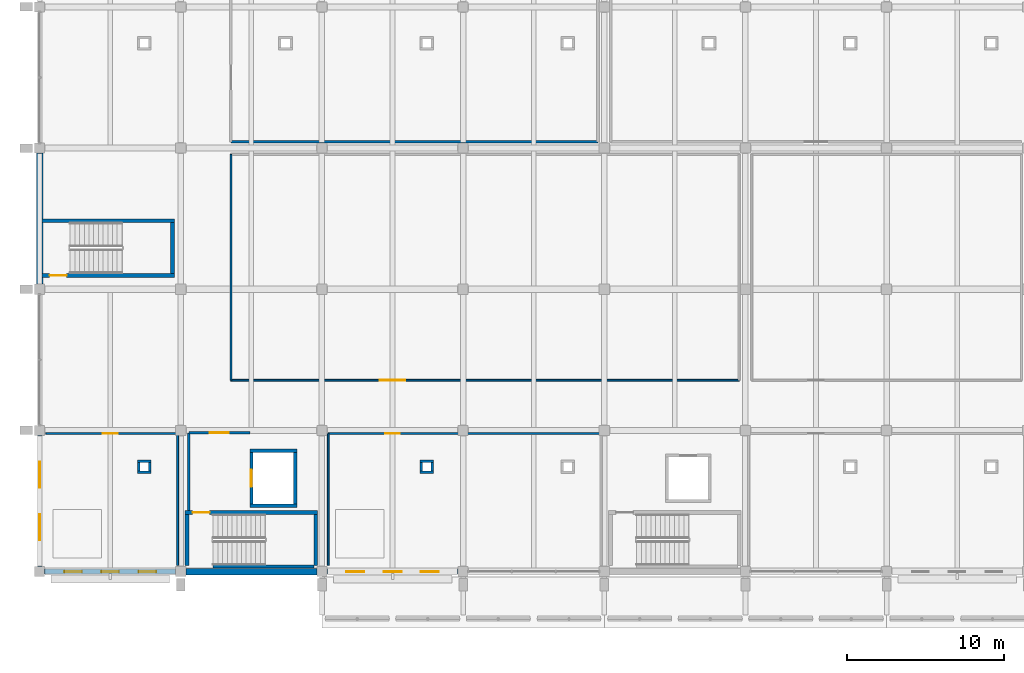
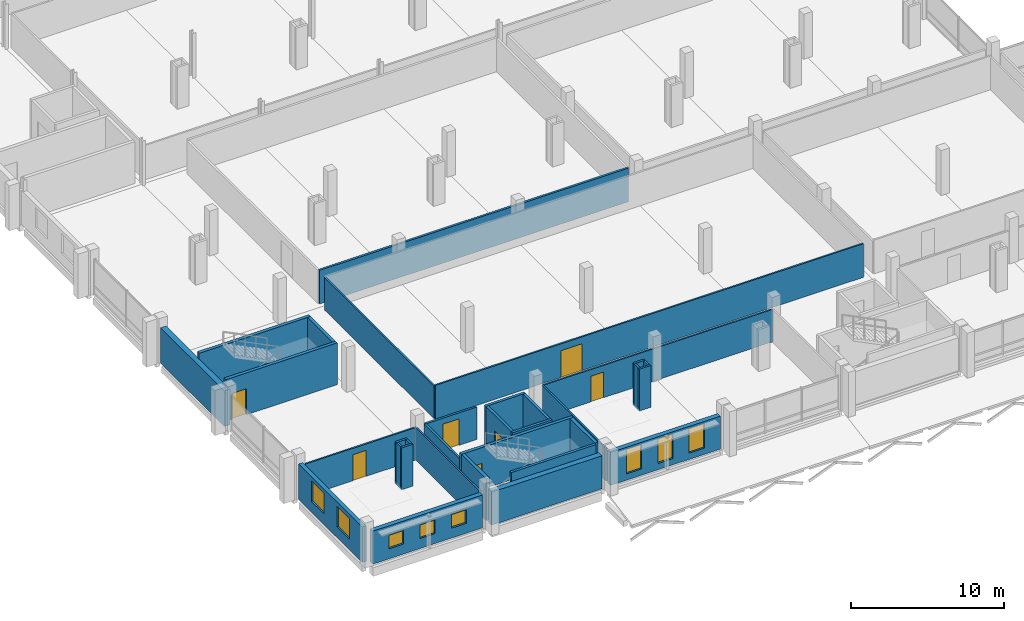
# One storey, part 101 of 132: 33 walls, 8 windows, 7 doors, 15 openings.
"""IFC4 building model written with IfcOpenShell, lengths in metres."""

from ifc_helpers import new_model, si_unit, direction, frame, frame_2d, origin, place, context, subcontext, project, spatial, rectangle, extrude, material, layer, layer_set, type_object, element, fill, save


model = new_model("IFC4")

# Units and contexts
model_context = context("Model", 3, precision=1e-05, world=origin(), true_north=direction((0.0, 1.0)))
body_context = subcontext(model_context, "Body", "Model", "MODEL_VIEW")
ifc_project = project(units=[si_unit("LENGTHUNIT", "METRE"), si_unit("AREAUNIT", "SQUARE_METRE"), si_unit("VOLUMEUNIT", "CUBIC_METRE"), si_unit("PLANEANGLEUNIT", "RADIAN"), si_unit("MASSUNIT", "GRAM", prefix="KILO")], contexts=[model_context])

# Site, building, storey
site_placement = place(None, origin())
site = spatial("IfcSite", under=ifc_project, at=site_placement, CompositionType="ELEMENT")
building_placement = place(site_placement, origin())
building = spatial("IfcBuilding", under=site, at=building_placement, Name="Tharagai Park Tramway Depot", CompositionType="ELEMENT")
storey_placement = place(building_placement, frame((0.0, 0.0, 4.800048828125)))
storey = spatial("IfcBuildingStorey", under=building, at=storey_placement, Name="L01", CompositionType="ELEMENT", Elevation=4.800048828125)

# Wall, openings, windows
ifc_material_1 = material(Name="Pressed clay brick", Category="masonry")
ifc_layer_1 = layer(ifc_material_1, 0.340087890625)
ifc_layer_set_1 = layer_set([ifc_layer_1], Name="Pressed clay brick")
wall_type_1 = type_object("IfcWallType", Name="EW-04", PredefinedType="SOLIDWALL", material=ifc_layer_set_1)
wall_1_placement = place(storey_placement, frame((0.322998046875, 0.0, 0.0), z_axis=(0.0, 0.0, 1.0), x_axis=(1.0, 0.0, 0.0)))
wall_1 = element("IfcWall", 1, at=wall_1_placement, inside=storey, type_object=wall_type_1, Name="L01 V4 Exterior Masonry Wall EW-04", PredefinedType="SOLIDWALL", context=body_context, shape_type="SweptSolid", body=[
    extrude(rectangle(XDim=8.35400390625, YDim=0.340087890625, at=frame_2d((4.177001953125, 0.0))), origin(), (0.0, 0.0, 1.0), 2.641845703125),
])
opening_1_placement = place(wall_1_placement, frame((1.248046875, 0.0, 0.800048828125)))
opening_1 = element("IfcOpeningElement", 2, at=opening_1_placement, cuts=wall_1, Name="Opening WN-24", PredefinedType="OPENING", context=body_context, shape_type="SweptSolid", body=[
    extrude(rectangle(XDim=1.1201171875, YDim=1.080078125, at=frame_2d((0.56005859375, 0.5400390625))), frame((0.0, 0.179931640625, 0.0), z_axis=(0.0, -1.0, 0.0), x_axis=(1.0, 0.0, 0.0)), (0.0, 0.0, 1.0), 0.360107421875),
])
opening_2_placement = place(wall_1_placement, frame((3.616943359375, 0.0, 0.800048828125)))
opening_2 = element("IfcOpeningElement", 3, at=opening_2_placement, cuts=wall_1, Name="Opening WN-24", PredefinedType="OPENING", context=body_context, shape_type="SweptSolid", body=[
    extrude(rectangle(XDim=1.1201171875, YDim=1.080078125, at=frame_2d((0.56005859375, 0.5400390625))), frame((0.0, 0.179931640625, 0.0), z_axis=(0.0, -1.0, 0.0), x_axis=(1.0, 0.0, 0.0)), (0.0, 0.0, 1.0), 0.360107421875),
])
opening_3_placement = place(wall_1_placement, frame((5.986083984375, 0.0, 0.800048828125)))
opening_3 = element("IfcOpeningElement", 4, at=opening_3_placement, cuts=wall_1, Name="Opening WN-24", PredefinedType="OPENING", context=body_context, shape_type="SweptSolid", body=[
    extrude(rectangle(XDim=1.1201171875, YDim=1.080078125, at=frame_2d((0.56005859375, 0.5400390625))), frame((0.0, 0.179931640625, 0.0), z_axis=(0.0, -1.0, 0.0), x_axis=(1.0, 0.0, 0.0)), (0.0, 0.0, 1.0), 0.360107421875),
])
ifc_material_2 = material(Name="Laminated solar-control glass", Category="glass")
window_type_1 = type_object("IfcWindowType", Name="WN-24", PartitioningType="SINGLE_PANEL", PredefinedType="WINDOW", material=ifc_material_2)
window_1_placement = place(opening_1_placement, origin())
window_1 = element("IfcWindow", 5, at=window_1_placement, inside=storey, type_object=window_type_1, Name="L01 V4 Gothic Lancet Window WN-24", OverallHeight=1.080078125, OverallWidth=1.1201171875, PartitioningType="SINGLE_PANEL", PredefinedType="WINDOW", context=body_context, shape_type="SweptSolid", body=[
    extrude(rectangle(XDim=1.1201171875, YDim=1.080078125, at=frame_2d((0.56005859375, 0.5400390625))), frame((0.0, 0.030029296875, 0.0), z_axis=(0.0, -1.0, 0.0), x_axis=(1.0, 0.0, 0.0)), (0.0, 0.0, 1.0), 0.06005859375),
])
fill(opening_1, window_1)
window_2_placement = place(opening_2_placement, origin())
window_2 = element("IfcWindow", 6, at=window_2_placement, inside=storey, type_object=window_type_1, Name="L01 V4 Gothic Lancet Window WN-24", OverallHeight=1.080078125, OverallWidth=1.1201171875, PartitioningType="SINGLE_PANEL", PredefinedType="WINDOW", context=body_context, shape_type="SweptSolid", body=[
    extrude(rectangle(XDim=1.1201171875, YDim=1.080078125, at=frame_2d((0.56005859375, 0.5400390625))), frame((0.0, 0.030029296875, 0.0), z_axis=(0.0, -1.0, 0.0), x_axis=(1.0, 0.0, 0.0)), (0.0, 0.0, 1.0), 0.06005859375),
])
fill(opening_2, window_2)
window_3_placement = place(opening_3_placement, origin())
window_3 = element("IfcWindow", 7, at=window_3_placement, inside=storey, type_object=window_type_1, Name="L01 V4 Gothic Lancet Window WN-24", OverallHeight=1.080078125, OverallWidth=1.1201171875, PartitioningType="SINGLE_PANEL", PredefinedType="WINDOW", context=body_context, shape_type="SweptSolid", body=[
    extrude(rectangle(XDim=1.1201171875, YDim=1.080078125, at=frame_2d((0.56005859375, 0.5400390625))), frame((0.0, 0.030029296875, 0.0), z_axis=(0.0, -1.0, 0.0), x_axis=(1.0, 0.0, 0.0)), (0.0, 0.0, 1.0), 0.06005859375),
])
fill(opening_3, window_3)

wall_2_placement = place(storey_placement, frame((18.322998046875, 0.0, 0.0), z_axis=(0.0, 0.0, 1.0), x_axis=(1.0, 0.0, 0.0)))
wall_2 = element("IfcWall", 8, at=wall_2_placement, inside=storey, type_object=wall_type_1, Name="L01 V4 Exterior Masonry Wall EW-04", PredefinedType="SOLIDWALL", context=body_context, shape_type="SweptSolid", body=[
    extrude(rectangle(XDim=8.35400390625, YDim=0.340087890625, at=frame_2d((4.177001953125, 0.0))), origin(), (0.0, 0.0, 1.0), 2.641845703125),
])
opening_4_placement = place(wall_2_placement, frame((1.22607421875, 0.0, 0.5)))
opening_4 = element("IfcOpeningElement", 9, at=opening_4_placement, cuts=wall_2, Name="Opening WN-28", PredefinedType="OPENING", context=body_context, shape_type="SweptSolid", body=[
    extrude(rectangle(XDim=1.14990234375, YDim=1.9599609375, at=frame_2d((0.574951171875, 0.97998046875))), frame((0.0, 0.179931640625, 0.0), z_axis=(0.0, -1.0, 0.0), x_axis=(1.0, 0.0, 0.0)), (0.0, 0.0, 1.0), 0.360107421875),
])
opening_5_placement = place(wall_2_placement, frame((3.60205078125, 0.0, 0.5)))
opening_5 = element("IfcOpeningElement", 10, at=opening_5_placement, cuts=wall_2, Name="Opening WN-28", PredefinedType="OPENING", context=body_context, shape_type="SweptSolid", body=[
    extrude(rectangle(XDim=1.14990234375, YDim=1.9599609375, at=frame_2d((0.574951171875, 0.97998046875))), frame((0.0, 0.179931640625, 0.0), z_axis=(0.0, -1.0, 0.0), x_axis=(1.0, 0.0, 0.0)), (0.0, 0.0, 1.0), 0.360107421875),
])
opening_6_placement = place(wall_2_placement, frame((5.97802734375, 0.0, 0.5)))
opening_6 = element("IfcOpeningElement", 11, at=opening_6_placement, cuts=wall_2, Name="Opening WN-28", PredefinedType="OPENING", context=body_context, shape_type="SweptSolid", body=[
    extrude(rectangle(XDim=1.14990234375, YDim=1.9599609375, at=frame_2d((0.574951171875, 0.97998046875))), frame((0.0, 0.179931640625, 0.0), z_axis=(0.0, -1.0, 0.0), x_axis=(1.0, 0.0, 0.0)), (0.0, 0.0, 1.0), 0.360107421875),
])
window_type_2 = type_object("IfcWindowType", Name="WN-28", PartitioningType="SINGLE_PANEL", PredefinedType="WINDOW", material=ifc_material_2)
window_4_placement = place(opening_4_placement, origin())
window_4 = element("IfcWindow", 12, at=window_4_placement, inside=storey, type_object=window_type_2, Name="L01 V4 Gothic Lancet Window WN-28", OverallHeight=1.9599609375, OverallWidth=1.14990234375, PartitioningType="SINGLE_PANEL", PredefinedType="WINDOW", context=body_context, shape_type="SweptSolid", body=[
    extrude(rectangle(XDim=1.14990234375, YDim=1.9599609375, at=frame_2d((0.574951171875, 0.97998046875))), frame((0.0, 0.030029296875, 0.0), z_axis=(0.0, -1.0, 0.0), x_axis=(1.0, 0.0, 0.0)), (0.0, 0.0, 1.0), 0.06005859375),
])
fill(opening_4, window_4)
window_5_placement = place(opening_5_placement, origin())
window_5 = element("IfcWindow", 13, at=window_5_placement, inside=storey, type_object=window_type_2, Name="L01 V4 Gothic Lancet Window WN-28", OverallHeight=1.9599609375, OverallWidth=1.14990234375, PartitioningType="SINGLE_PANEL", PredefinedType="WINDOW", context=body_context, shape_type="SweptSolid", body=[
    extrude(rectangle(XDim=1.14990234375, YDim=1.9599609375, at=frame_2d((0.574951171875, 0.97998046875))), frame((0.0, 0.030029296875, 0.0), z_axis=(0.0, -1.0, 0.0), x_axis=(1.0, 0.0, 0.0)), (0.0, 0.0, 1.0), 0.06005859375),
])
fill(opening_5, window_5)
window_6_placement = place(opening_6_placement, origin())
window_6 = element("IfcWindow", 14, at=window_6_placement, inside=storey, type_object=window_type_2, Name="L01 V4 Gothic Lancet Window WN-28", OverallHeight=1.9599609375, OverallWidth=1.14990234375, PartitioningType="SINGLE_PANEL", PredefinedType="WINDOW", context=body_context, shape_type="SweptSolid", body=[
    extrude(rectangle(XDim=1.14990234375, YDim=1.9599609375, at=frame_2d((0.574951171875, 0.97998046875))), frame((0.0, 0.030029296875, 0.0), z_axis=(0.0, -1.0, 0.0), x_axis=(1.0, 0.0, 0.0)), (0.0, 0.0, 1.0), 0.06005859375),
])
fill(opening_6, window_6)

# Walls
ifc_material_3 = material(Name="Charnockite stone", Category="masonry")
ifc_layer_2 = layer(ifc_material_3, 0.419921875)
ifc_layer_set_2 = layer_set([ifc_layer_2], Name="Charnockite stone")
wall_type_2 = type_object("IfcWallType", Name="EW-07", PredefinedType="SOLIDWALL", material=ifc_layer_set_2)
wall_3_placement = place(storey_placement, frame((9.322998046875, 0.0, 0.0), z_axis=(0.0, 0.0, 1.0), x_axis=(1.0, 0.0, 0.0)))
element("IfcWall", 15, at=wall_3_placement, inside=storey, type_object=wall_type_2, Name="L01 V4 Exterior Masonry Wall EW-07", PredefinedType="SOLIDWALL", context=body_context, shape_type="SweptSolid", body=[
    extrude(rectangle(XDim=8.35400390625, YDim=0.419921875, at=frame_2d((4.177001953125, 0.0))), origin(), (0.0, 0.0, 1.0), 2.641845703125),
])
wall_4_placement = place(storey_placement, frame((0.0, 18.322998046875, 0.0), z_axis=(0.0, 0.0, 1.0), x_axis=(0.0, 1.0, 0.0)))
element("IfcWall", 16, at=wall_4_placement, inside=storey, type_object=wall_type_2, Name="L01 V4 Exterior Masonry Wall EW-07", PredefinedType="SOLIDWALL", context=body_context, shape_type="SweptSolid", body=[
    extrude(rectangle(XDim=8.35400390625, YDim=0.419921875, at=frame_2d((4.177001953125, 0.0))), origin(), (0.0, 0.0, 1.0), 2.842041015625),
])

# Wall, openings, windows
ifc_layer_3 = layer(ifc_material_1, 0.300048828125)
ifc_layer_set_3 = layer_set([ifc_layer_3], Name="Pressed clay brick")
wall_type_3 = type_object("IfcWallType", Name="EW-08", PredefinedType="SOLIDWALL", material=ifc_layer_set_3)
wall_5_placement = place(storey_placement, frame((0.0, 0.322998046875, 0.0), z_axis=(0.0, 0.0, 1.0), x_axis=(0.0, 1.0, 0.0)))
wall_5 = element("IfcWall", 17, at=wall_5_placement, inside=storey, type_object=wall_type_3, Name="L01 V4 Exterior Masonry Wall EW-08", PredefinedType="SOLIDWALL", context=body_context, shape_type="SweptSolid", body=[
    extrude(rectangle(XDim=8.35400390625, YDim=0.300048828125, at=frame_2d((4.177001953125, 0.0))), origin(), (0.0, 0.0, 1.0), 2.842041015625),
])
opening_7_placement = place(wall_5_placement, frame((1.6650390625, 0.0, 0.85009765625)))
opening_7 = element("IfcOpeningElement", 18, at=opening_7_placement, cuts=wall_5, Name="Opening WN-38", PredefinedType="OPENING", context=body_context, shape_type="SweptSolid", body=[
    extrude(rectangle(XDim=1.679931640625, YDim=1.659912109375, at=frame_2d((0.83984375, 0.830078125))), frame((0.0, 0.159912109375, 0.0), z_axis=(0.0, -1.0, 0.0), x_axis=(1.0, 0.0, 0.0)), (0.0, 0.0, 1.0), 0.320068359375),
])
opening_8_placement = place(wall_5_placement, frame((5.009033203125, 0.0, 0.85009765625)))
opening_8 = element("IfcOpeningElement", 19, at=opening_8_placement, cuts=wall_5, Name="Opening WN-38", PredefinedType="OPENING", context=body_context, shape_type="SweptSolid", body=[
    extrude(rectangle(XDim=1.679931640625, YDim=1.659912109375, at=frame_2d((0.83984375, 0.830078125))), frame((0.0, 0.159912109375, 0.0), z_axis=(0.0, -1.0, 0.0), x_axis=(1.0, 0.0, 0.0)), (0.0, 0.0, 1.0), 0.320068359375),
])
window_type_3 = type_object("IfcWindowType", Name="WN-38", PartitioningType="SINGLE_PANEL", PredefinedType="WINDOW", material=ifc_material_2)
window_7_placement = place(opening_7_placement, origin())
window_7 = element("IfcWindow", 20, at=window_7_placement, inside=storey, type_object=window_type_3, Name="L01 V4 Side Lancet Window WN-38", OverallHeight=1.659912109375, OverallWidth=1.679931640625, PartitioningType="SINGLE_PANEL", PredefinedType="WINDOW", context=body_context, shape_type="SweptSolid", body=[
    extrude(rectangle(XDim=1.679931640625, YDim=1.659912109375, at=frame_2d((0.83984375, 0.830078125))), frame((0.0, 0.030029296875, 0.0), z_axis=(0.0, -1.0, 0.0), x_axis=(1.0, 0.0, 0.0)), (0.0, 0.0, 1.0), 0.06005859375),
])
fill(opening_7, window_7)
window_8_placement = place(opening_8_placement, origin())
window_8 = element("IfcWindow", 21, at=window_8_placement, inside=storey, type_object=window_type_3, Name="L01 V4 Side Lancet Window WN-38", OverallHeight=1.659912109375, OverallWidth=1.679931640625, PartitioningType="SINGLE_PANEL", PredefinedType="WINDOW", context=body_context, shape_type="SweptSolid", body=[
    extrude(rectangle(XDim=1.679931640625, YDim=1.659912109375, at=frame_2d((0.83984375, 0.830078125))), frame((0.0, 0.030029296875, 0.0), z_axis=(0.0, -1.0, 0.0), x_axis=(1.0, 0.0, 0.0)), (0.0, 0.0, 1.0), 0.06005859375),
])
fill(opening_8, window_8)

# Walls
ifc_layer_4 = layer(ifc_material_1, 0.159912109375)
ifc_layer_set_4 = layer_set([ifc_layer_4], Name="Pressed clay brick")
wall_type_4 = type_object("IfcWallType", Name="IW-02", PredefinedType="PARTITIONING", material=ifc_layer_set_4)
for number, where, z_axis, x_axis, name in (
    (22, (6.239990234375, 6.320068359375, 0.0), (0.0, 0.0, 1.0), (1.0, 0.0, 0.0), "L01 Pipe Riser Enclosure Wall 15 S"),
    (23, (6.239990234375, 7.030029296875, 0.0), (0.0, 0.0, 1.0), (1.0, 0.0, 0.0), "L01 Pipe Riser Enclosure Wall 15 N"),
):
    element("IfcWall", number, at=place(storey_placement, frame(where, z_axis=z_axis, x_axis=x_axis)), inside=storey, type_object=wall_type_4, Name=name, PredefinedType="PARTITIONING", context=body_context, shape_type="SweptSolid", body=[
        extrude(rectangle(XDim=0.8701171875, YDim=0.159912109375, at=frame_2d((0.43505859375, 0.0))), origin(), (0.0, 0.0, 1.0), 3.349853515625),
    ])
for number, where, z_axis, x_axis, name in (
    (24, (6.320068359375, 6.39990234375, 0.0), (0.0, 0.0, 1.0), (0.0, 1.0, 0.0), "L01 Pipe Riser Enclosure Wall 15 W"),
    (25, (7.030029296875, 6.39990234375, 0.0), (0.0, 0.0, 1.0), (0.0, 1.0, 0.0), "L01 Pipe Riser Enclosure Wall 15 E"),
):
    element("IfcWall", number, at=place(storey_placement, frame(where, z_axis=z_axis, x_axis=x_axis)), inside=storey, type_object=wall_type_4, Name=name, PredefinedType="PARTITIONING", context=body_context, shape_type="SweptSolid", body=[
        extrude(rectangle(XDim=0.550048828125, YDim=0.159912109375, at=frame_2d((0.27490234375, 0.0))), origin(), (0.0, 0.0, 1.0), 3.349853515625),
    ])
for number, where, z_axis, x_axis, name in (
    (26, (24.239990234375, 6.320068359375, 0.0), (0.0, 0.0, 1.0), (1.0, 0.0, 0.0), "L01 Pipe Riser Enclosure Wall 16 S"),
    (27, (24.239990234375, 7.030029296875, 0.0), (0.0, 0.0, 1.0), (1.0, 0.0, 0.0), "L01 Pipe Riser Enclosure Wall 16 N"),
):
    element("IfcWall", number, at=place(storey_placement, frame(where, z_axis=z_axis, x_axis=x_axis)), inside=storey, type_object=wall_type_4, Name=name, PredefinedType="PARTITIONING", context=body_context, shape_type="SweptSolid", body=[
        extrude(rectangle(XDim=0.8701171875, YDim=0.159912109375, at=frame_2d((0.43505859375, 0.0))), origin(), (0.0, 0.0, 1.0), 3.349853515625),
    ])
for number, where, z_axis, x_axis, name in (
    (28, (24.320068359375, 6.39990234375, 0.0), (0.0, 0.0, 1.0), (0.0, 1.0, 0.0), "L01 Pipe Riser Enclosure Wall 16 W"),
    (29, (25.030029296875, 6.39990234375, 0.0), (0.0, 0.0, 1.0), (0.0, 1.0, 0.0), "L01 Pipe Riser Enclosure Wall 16 E"),
):
    element("IfcWall", number, at=place(storey_placement, frame(where, z_axis=z_axis, x_axis=x_axis)), inside=storey, type_object=wall_type_4, Name=name, PredefinedType="PARTITIONING", context=body_context, shape_type="SweptSolid", body=[
        extrude(rectangle(XDim=0.550048828125, YDim=0.159912109375, at=frame_2d((0.27490234375, 0.0))), origin(), (0.0, 0.0, 1.0), 3.349853515625),
    ])

# Wall, opening, door
wall_6_placement = place(storey_placement, frame((9.52001953125, 8.85009765625, 0.0), z_axis=(0.0, 0.0, 1.0), x_axis=(1.0, 0.0, 0.0)))
wall_6 = element("IfcWall", 30, at=wall_6_placement, inside=storey, type_object=wall_type_4, Name="Firefighting Lobby L01 Partition North", PredefinedType="PARTITIONING", context=body_context, shape_type="SweptSolid", body=[
    extrude(rectangle(XDim=3.8798828125, YDim=0.159912109375, at=frame_2d((1.93994140625, 0.0))), origin(), (0.0, 0.0, 1.0), 2.594970703125),
])
opening_9_placement = place(wall_6_placement, frame((1.320068359375, 0.0, 0.0)))
opening_9 = element("IfcOpeningElement", 31, at=opening_9_placement, cuts=wall_6, Name="Opening ID-10", PredefinedType="OPENING", context=body_context, shape_type="SweptSolid", body=[
    extrude(rectangle(XDim=1.219970703125, YDim=2.1201171875, at=frame_2d((0.60986328125, 1.06005859375))), frame((0.0, 0.08984375, 0.0), z_axis=(0.0, -1.0, 0.0), x_axis=(1.0, 0.0, 0.0)), (0.0, 0.0, 1.0), 0.179931640625),
])
ifc_material_4 = material(Name="Galvanised steel", Category="steel")
door_type_1 = type_object("IfcDoorType", Name="ID-10", OperationType="NOTDEFINED", PredefinedType="DOOR", material=ifc_material_4)
door_1_placement = place(opening_9_placement, origin())
door_1 = element("IfcDoor", 32, at=door_1_placement, inside=storey, type_object=door_type_1, Name="Firefighting Lobby L01 Door", OperationType="SINGLE_SWING_RIGHT", OverallHeight=2.1201171875, OverallWidth=1.219970703125, PredefinedType="DOOR", context=body_context, shape_type="SweptSolid", body=[
    extrude(rectangle(XDim=1.219970703125, YDim=2.1201171875, at=frame_2d((0.60986328125, 1.06005859375))), frame((0.0, 0.02490234375, 0.0), z_axis=(0.0, -1.0, 0.0), x_axis=(1.0, 0.0, 0.0)), (0.0, 0.0, 1.0), 0.050048828125),
])
fill(opening_9, door_1)

# Walls
wall_7_placement = place(storey_placement, frame((9.52001953125, 3.889892578125, 0.0), z_axis=(0.0, 0.0, 1.0), x_axis=(0.0, 1.0, 0.0)))
element("IfcWall", 33, at=wall_7_placement, inside=storey, type_object=wall_type_4, Name="Firefighting Lobby L01 Partition West", PredefinedType="PARTITIONING", context=body_context, shape_type="SweptSolid", body=[
    extrude(rectangle(XDim=4.960205078125, YDim=0.159912109375, at=frame_2d((2.47998046875, 0.0))), origin(), (0.0, 0.0, 1.0), 2.594970703125),
])
wall_8_placement = place(storey_placement, frame((12.199951171875, 27.39990234375, 0.0), z_axis=(0.0, 0.0, 1.0), x_axis=(1.0, 0.0, 0.0)))
element("IfcWall", 34, at=wall_8_placement, inside=storey, type_object=wall_type_4, Name="Communications Server and UPS Plant Room Partition South", PredefinedType="PARTITIONING", context=body_context, shape_type="SweptSolid", body=[
    extrude(rectangle(XDim=23.400146484375, YDim=0.159912109375, at=frame_2d((11.7001953125, 0.0))), origin(), (0.0, 0.0, 1.0), 2.695068359375),
])

# Wall, opening, door
ifc_material_5 = material(Name="Gypsum board", Category="gypsum")
ifc_layer_5 = layer(ifc_material_5, 0.1201171875)
ifc_layer_set_5 = layer_set([ifc_layer_5], Name="Gypsum board")
wall_type_5 = type_object("IfcWallType", Name="IW-03", PredefinedType="PARTITIONING", material=ifc_layer_set_5)
wall_9_placement = place(storey_placement, frame((0.39990234375, 8.800048828125, 0.0), z_axis=(0.0, 0.0, 1.0), x_axis=(1.0, 0.0, 0.0)))
wall_9 = element("IfcWall", 35, at=wall_9_placement, inside=storey, type_object=wall_type_5, Name="Fleet Maintenance Planning Office Partition North", PredefinedType="PARTITIONING", context=body_context, shape_type="SweptSolid", body=[
    extrude(rectangle(XDim=8.400146484375, YDim=0.1201171875, at=frame_2d((4.2001953125, 0.0))), origin(), (0.0, 0.0, 1.0), 2.594970703125),
])
opening_10_placement = place(wall_9_placement, frame((3.610107421875, 0.0, 0.0)))
opening_10 = element("IfcOpeningElement", 36, at=opening_10_placement, cuts=wall_9, Name="Opening ID-02", PredefinedType="OPENING", context=body_context, shape_type="SweptSolid", body=[
    extrude(rectangle(XDim=0.97998046875, YDim=2.080078125, at=frame_2d((0.489990234375, 1.0400390625))), frame((0.0, 0.070068359375, 0.0), z_axis=(0.0, -1.0, 0.0), x_axis=(1.0, 0.0, 0.0)), (0.0, 0.0, 1.0), 0.14013671875),
])
ifc_material_6 = material(Name="Pressed timber", Category="wood")
door_type_2 = type_object("IfcDoorType", Name="ID-02", OperationType="NOTDEFINED", PredefinedType="DOOR", material=ifc_material_6)
door_2_placement = place(opening_10_placement, origin())
door_2 = element("IfcDoor", 37, at=door_2_placement, inside=storey, type_object=door_type_2, Name="Fleet Maintenance Planning Office Door", OperationType="SINGLE_SWING_RIGHT", OverallHeight=2.080078125, OverallWidth=0.97998046875, PredefinedType="DOOR", context=body_context, shape_type="SweptSolid", body=[
    extrude(rectangle(XDim=0.97998046875, YDim=2.080078125, at=frame_2d((0.489990234375, 1.0400390625))), frame((0.0, 0.02490234375, 0.0), z_axis=(0.0, -1.0, 0.0), x_axis=(1.0, 0.0, 0.0)), (0.0, 0.0, 1.0), 0.050048828125),
])
fill(opening_10, door_2)

# Wall
wall_10_placement = place(storey_placement, frame((8.800048828125, 0.39990234375, 0.0), z_axis=(0.0, 0.0, 1.0), x_axis=(0.0, 1.0, 0.0)))
element("IfcWall", 38, at=wall_10_placement, inside=storey, type_object=wall_type_5, Name="Fleet Maintenance Planning Office Partition East", PredefinedType="PARTITIONING", context=body_context, shape_type="SweptSolid", body=[
    extrude(rectangle(XDim=8.400146484375, YDim=0.1201171875, at=frame_2d((4.2001953125, 0.0))), origin(), (0.0, 0.0, 1.0), 2.594970703125),
])

# Wall, opening, door
wall_11_placement = place(storey_placement, frame((18.39990234375, 8.800048828125, 0.0), z_axis=(0.0, 0.0, 1.0), x_axis=(1.0, 0.0, 0.0)))
wall_11 = element("IfcWall", 39, at=wall_11_placement, inside=storey, type_object=wall_type_5, Name="Rolling-Stock Engineering Studio Partition North", PredefinedType="PARTITIONING", context=body_context, shape_type="SweptSolid", body=[
    extrude(rectangle(XDim=17.400146484375, YDim=0.1201171875, at=frame_2d((8.7001953125, 0.0))), origin(), (0.0, 0.0, 1.0), 2.594970703125),
])
opening_11_placement = place(wall_11_placement, frame((3.6298828125, 0.0, 0.0)))
opening_11 = element("IfcOpeningElement", 40, at=opening_11_placement, cuts=wall_11, Name="Opening ID-03", PredefinedType="OPENING", context=body_context, shape_type="SweptSolid", body=[
    extrude(rectangle(XDim=0.93994140625, YDim=2.06005859375, at=frame_2d((0.469970703125, 1.030029296875))), frame((0.0, 0.070068359375, 0.0), z_axis=(0.0, -1.0, 0.0), x_axis=(1.0, 0.0, 0.0)), (0.0, 0.0, 1.0), 0.14013671875),
])
door_type_3 = type_object("IfcDoorType", Name="ID-03", OperationType="NOTDEFINED", PredefinedType="DOOR", material=ifc_material_6)
door_3_placement = place(opening_11_placement, origin())
door_3 = element("IfcDoor", 41, at=door_3_placement, inside=storey, type_object=door_type_3, Name="Rolling-Stock Engineering Studio Door", OperationType="SINGLE_SWING_LEFT", OverallHeight=2.06005859375, OverallWidth=0.93994140625, PredefinedType="DOOR", context=body_context, shape_type="SweptSolid", body=[
    extrude(rectangle(XDim=0.93994140625, YDim=2.06005859375, at=frame_2d((0.469970703125, 1.030029296875))), frame((0.0, 0.02490234375, 0.0), z_axis=(0.0, -1.0, 0.0), x_axis=(1.0, 0.0, 0.0)), (0.0, 0.0, 1.0), 0.050048828125),
])
fill(opening_11, door_3)

# Wall
wall_12_placement = place(storey_placement, frame((18.39990234375, 0.39990234375, 0.0), z_axis=(0.0, 0.0, 1.0), x_axis=(0.0, 1.0, 0.0)))
element("IfcWall", 42, at=wall_12_placement, inside=storey, type_object=wall_type_5, Name="Rolling-Stock Engineering Studio Partition West", PredefinedType="PARTITIONING", context=body_context, shape_type="SweptSolid", body=[
    extrude(rectangle(XDim=8.400146484375, YDim=0.1201171875, at=frame_2d((4.2001953125, 0.0))), origin(), (0.0, 0.0, 1.0), 2.594970703125),
])

# Wall, opening, door
wall_13_placement = place(storey_placement, frame((12.199951171875, 12.199951171875, 0.0), z_axis=(0.0, 0.0, 1.0), x_axis=(1.0, 0.0, 0.0)))
wall_13 = element("IfcWall", 43, at=wall_13_placement, inside=storey, type_object=wall_type_5, Name="PCB Diagnostics and Avionics Clean Room Partition South", PredefinedType="PARTITIONING", context=body_context, shape_type="SweptSolid", body=[
    extrude(rectangle(XDim=32.400146484375, YDim=0.1201171875, at=frame_2d((16.2001953125, 0.0))), origin(), (0.0, 0.0, 1.0), 2.695068359375),
])
opening_12_placement = place(wall_13_placement, frame((9.489990234375, 0.0, 0.0)))
opening_12 = element("IfcOpeningElement", 44, at=opening_12_placement, cuts=wall_13, Name="Opening ID-01", PredefinedType="OPENING", context=body_context, shape_type="SweptSolid", body=[
    extrude(rectangle(XDim=1.6201171875, YDim=2.139892578125, at=frame_2d((0.81005859375, 1.06982421875))), frame((0.0, 0.070068359375, 0.0), z_axis=(0.0, -1.0, 0.0), x_axis=(1.0, 0.0, 0.0)), (0.0, 0.0, 1.0), 0.14013671875),
])
ifc_material_7 = material(Name="Anodised aluminium", Category="aluminium")
door_type_4 = type_object("IfcDoorType", Name="ID-01", OperationType="DOUBLE_SWING_LEFT", PredefinedType="DOOR", material=ifc_material_7)
door_4_placement = place(opening_12_placement, frame((1.6201171875, 0.0, 0.0), z_axis=(0.0, 0.0, 1.0), x_axis=(-1.0, 0.0, 0.0)))
door_4 = element("IfcDoor", 45, at=door_4_placement, inside=storey, type_object=door_type_4, Name="PCB Diagnostics and Avionics Clean Room Door", OperationType="DOUBLE_SWING_LEFT", OverallHeight=2.139892578125, OverallWidth=1.6201171875, PredefinedType="DOOR", context=body_context, shape_type="SweptSolid", body=[
    extrude(rectangle(XDim=1.6201171875, YDim=2.139892578125, at=frame_2d((0.81005859375, 1.06982421875))), frame((0.0, 0.02490234375, 0.0), z_axis=(0.0, -1.0, 0.0), x_axis=(1.0, 0.0, 0.0)), (0.0, 0.0, 1.0), 0.050048828125),
])
fill(opening_12, door_4)

# Wall
wall_14_placement = place(storey_placement, frame((12.199951171875, 12.199951171875, 0.0), z_axis=(0.0, 0.0, 1.0), x_axis=(0.0, 1.0, 0.0)))
element("IfcWall", 46, at=wall_14_placement, inside=storey, type_object=wall_type_5, Name="PCB Diagnostics and Avionics Clean Room Partition West", PredefinedType="PARTITIONING", context=body_context, shape_type="SweptSolid", body=[
    extrude(rectangle(XDim=14.400146484375, YDim=0.1201171875, at=frame_2d((7.2001953125, 0.0))), origin(), (0.0, 0.0, 1.0), 2.594970703125),
])

# Wall, opening, door
ifc_material_8 = material(Name="Concrete M40", Category="concrete")
ifc_layer_6 = layer(ifc_material_8, 0.239990234375)
ifc_layer_set_6 = layer_set([ifc_layer_6], Name="Concrete M40")
wall_type_6 = type_object("IfcWallType", Name="SW-01", PredefinedType="SHEAR", material=ifc_layer_set_6)
wall_15_placement = place(storey_placement, frame((9.280029296875, 3.77001953125, 0.0), z_axis=(0.0, 0.0, 1.0), x_axis=(1.0, 0.0, 0.0)))
wall_15 = element("IfcWall", 47, at=wall_15_placement, inside=storey, type_object=wall_type_6, Name="Core C1 L01 Shear Wall North", PredefinedType="SHEAR", context=body_context, shape_type="SweptSolid", body=[
    extrude(rectangle(XDim=8.43994140625, YDim=0.239990234375, at=frame_2d((4.219970703125, 0.0))), origin(), (0.0, 0.0, 1.0), 3.349853515625),
])
opening_13_placement = place(wall_15_placement, frame((0.47998046875, 0.0, 0.0)))
opening_13 = element("IfcOpeningElement", 48, at=opening_13_placement, cuts=wall_15, Name="Opening ID-05", PredefinedType="OPENING", context=body_context, shape_type="SweptSolid", body=[
    extrude(rectangle(XDim=1.080078125, YDim=2.080078125, at=frame_2d((0.5400390625, 1.0400390625))), frame((0.0, 0.1298828125, 0.0), z_axis=(0.0, -1.0, 0.0), x_axis=(1.0, 0.0, 0.0)), (0.0, 0.0, 1.0), 0.260009765625),
])
door_type_5 = type_object("IfcDoorType", Name="ID-05", OperationType="NOTDEFINED", PredefinedType="DOOR", material=ifc_material_4)
door_5_placement = place(opening_13_placement, frame((1.080078125, 0.0, 0.0), z_axis=(0.0, 0.0, 1.0), x_axis=(-1.0, 0.0, 0.0)))
door_5 = element("IfcDoor", 49, at=door_5_placement, inside=storey, type_object=door_type_5, Name="Stair ST-01 L01 Fire Door", OperationType="SINGLE_SWING_RIGHT", OverallHeight=2.080078125, OverallWidth=1.080078125, PredefinedType="DOOR", context=body_context, shape_type="SweptSolid", body=[
    extrude(rectangle(XDim=1.080078125, YDim=2.080078125, at=frame_2d((0.5400390625, 1.0400390625))), frame((0.0, 0.02490234375, 0.0), z_axis=(0.0, -1.0, 0.0), x_axis=(1.0, 0.0, 0.0)), (0.0, 0.0, 1.0), 0.050048828125),
])
fill(opening_13, door_5)

# Walls
for number, where, z_axis, x_axis, name in (
    (50, (9.39990234375, 0.39990234375, 0.0), (0.0, 0.0, 1.0), (0.0, 1.0, 0.0), "Core C1 L01 Shear Wall West"),
    (51, (17.60009765625, 0.39990234375, 0.0), (0.0, 0.0, 1.0), (0.0, 1.0, 0.0), "Core C1 L01 Shear Wall East"),
):
    element("IfcWall", number, at=place(storey_placement, frame(where, z_axis=z_axis, x_axis=x_axis)), inside=storey, type_object=wall_type_6, Name=name, PredefinedType="SHEAR", context=body_context, shape_type="SweptSolid", body=[
        extrude(rectangle(XDim=3.25, YDim=0.239990234375, at=frame_2d((1.625, 0.0))), origin(), (0.0, 0.0, 1.0), 3.349853515625),
    ])

# Wall, opening, door
wall_16_placement = place(storey_placement, frame((0.159912109375, 18.8798828125, 0.0), z_axis=(0.0, 0.0, 1.0), x_axis=(1.0, 0.0, 0.0)))
wall_16 = element("IfcWall", 52, at=wall_16_placement, inside=storey, type_object=wall_type_6, Name="Core C3 L01 Shear Wall South", PredefinedType="SHEAR", context=body_context, shape_type="SweptSolid", body=[
    extrude(rectangle(XDim=8.440185546875, YDim=0.239990234375, at=frame_2d((4.22021484375, 0.0))), origin(), (0.0, 0.0, 1.0), 3.349853515625),
])
opening_14_placement = place(wall_16_placement, frame((0.47998046875, 0.0, 0.0)))
opening_14 = element("IfcOpeningElement", 53, at=opening_14_placement, cuts=wall_16, Name="Opening ID-05", PredefinedType="OPENING", context=body_context, shape_type="SweptSolid", body=[
    extrude(rectangle(XDim=1.080078125, YDim=2.080078125, at=frame_2d((0.5400390625, 1.0400390625))), frame((0.0, 0.1298828125, 0.0), z_axis=(0.0, -1.0, 0.0), x_axis=(1.0, 0.0, 0.0)), (0.0, 0.0, 1.0), 0.260009765625),
])
door_6_placement = place(opening_14_placement, origin())
door_6 = element("IfcDoor", 54, at=door_6_placement, inside=storey, type_object=door_type_5, Name="Stair ST-03 L01 Fire Door", OperationType="SINGLE_SWING_RIGHT", OverallHeight=2.080078125, OverallWidth=1.080078125, PredefinedType="DOOR", context=body_context, shape_type="SweptSolid", body=[
    extrude(rectangle(XDim=1.080078125, YDim=2.080078125, at=frame_2d((0.5400390625, 1.0400390625))), frame((0.0, 0.02490234375, 0.0), z_axis=(0.0, -1.0, 0.0), x_axis=(1.0, 0.0, 0.0)), (0.0, 0.0, 1.0), 0.050048828125),
])
fill(opening_14, door_6)

# Walls
wall_17_placement = place(storey_placement, frame((0.159912109375, 22.3701171875, 0.0), z_axis=(0.0, 0.0, 1.0), x_axis=(1.0, 0.0, 0.0)))
element("IfcWall", 55, at=wall_17_placement, inside=storey, type_object=wall_type_6, Name="Core C3 L01 Shear Wall North", PredefinedType="SHEAR", context=body_context, shape_type="SweptSolid", body=[
    extrude(rectangle(XDim=8.440185546875, YDim=0.239990234375, at=frame_2d((4.22021484375, 0.0))), origin(), (0.0, 0.0, 1.0), 3.349853515625),
])
wall_18_placement = place(storey_placement, frame((8.47998046875, 19.0, 0.0), z_axis=(0.0, 0.0, 1.0), x_axis=(0.0, 1.0, 0.0)))
element("IfcWall", 56, at=wall_18_placement, inside=storey, type_object=wall_type_6, Name="Core C3 L01 Shear Wall East", PredefinedType="SHEAR", context=body_context, shape_type="SweptSolid", body=[
    extrude(rectangle(XDim=3.25, YDim=0.239990234375, at=frame_2d((1.625, 0.0))), origin(), (0.0, 0.0, 1.0), 3.349853515625),
])
ifc_layer_7 = layer(ifc_material_8, 0.199951171875)
ifc_layer_set_7 = layer_set([ifc_layer_7], Name="Concrete M40")
wall_type_7 = type_object("IfcWallType", Name="SW-02", PredefinedType="SHEAR", material=ifc_layer_set_7)
wall_19_placement = place(storey_placement, frame((11.070068359375, 0.31494140625, 0.0), z_axis=(0.0, 0.0, 1.0), x_axis=(1.0, 0.0, 0.0)))
element("IfcWall", 57, at=wall_19_placement, inside=storey, type_object=wall_type_7, Name="Core C1 L01 Shear Bearing Liner South", PredefinedType="SHEAR", context=body_context, shape_type="SweptSolid", body=[
    extrude(rectangle(XDim=6.409912109375, YDim=0.199951171875, at=frame_2d((3.205078125, 0.0))), origin(), (0.0, 0.0, 1.0), 3.349853515625),
])
for number, where, z_axis, x_axis, name in (
    (58, (13.39990234375, 4.199951171875, 0.0), (0.0, 0.0, 1.0), (1.0, 0.0, 0.0), "Lift LF-01 L01 Shaft Wall South"),
    (59, (13.39990234375, 7.699951171875, 0.0), (0.0, 0.0, 1.0), (1.0, 0.0, 0.0), "Lift LF-01 L01 Shaft Wall North"),
):
    element("IfcWall", number, at=place(storey_placement, frame(where, z_axis=z_axis, x_axis=x_axis)), inside=storey, type_object=wall_type_7, Name=name, PredefinedType="SHEAR", context=body_context, shape_type="SweptSolid", body=[
        extrude(rectangle(XDim=3.0, YDim=0.199951171875, at=frame_2d((1.5, 0.0))), origin(), (0.0, 0.0, 1.0), 3.349853515625),
    ])

# Wall, opening, door
wall_20_placement = place(storey_placement, frame((13.5, 4.300048828125, 0.0), z_axis=(0.0, 0.0, 1.0), x_axis=(0.0, 1.0, 0.0)))
wall_20 = element("IfcWall", 60, at=wall_20_placement, inside=storey, type_object=wall_type_7, Name="Lift LF-01 L01 Shaft Wall West", PredefinedType="SHEAR", context=body_context, shape_type="SweptSolid", body=[
    extrude(rectangle(XDim=3.300048828125, YDim=0.199951171875, at=frame_2d((1.64990234375, 0.0))), origin(), (0.0, 0.0, 1.0), 3.349853515625),
])
opening_15_placement = place(wall_20_placement, frame((1.10009765625, 0.0, 0.0)))
opening_15 = element("IfcOpeningElement", 61, at=opening_15_placement, cuts=wall_20, Name="Opening LD-03", PredefinedType="OPENING", context=body_context, shape_type="SweptSolid", body=[
    extrude(rectangle(XDim=1.10009765625, YDim=2.10009765625, at=frame_2d((0.550048828125, 1.050048828125))), frame((0.0, 0.10986328125, 0.0), z_axis=(0.0, -1.0, 0.0), x_axis=(1.0, 0.0, 0.0)), (0.0, 0.0, 1.0), 0.219970703125),
])
door_type_6 = type_object("IfcDoorType", Name="LD-03", OperationType="SLIDING_TO_LEFT", PredefinedType="DOOR", material=ifc_material_4)
door_7_placement = place(opening_15_placement, origin())
door_7 = element("IfcDoor", 62, at=door_7_placement, inside=storey, type_object=door_type_6, Name="Lift LF-01 L01 Sliding Landing Door", OperationType="SLIDING_TO_LEFT", OverallHeight=2.10009765625, OverallWidth=1.10009765625, PredefinedType="DOOR", context=body_context, shape_type="SweptSolid", body=[
    extrude(rectangle(XDim=1.10009765625, YDim=2.10009765625, at=frame_2d((0.550048828125, 1.050048828125))), frame((0.0, 0.02490234375, 0.0), z_axis=(0.0, -1.0, 0.0), x_axis=(1.0, 0.0, 0.0)), (0.0, 0.0, 1.0), 0.050048828125),
])
fill(opening_15, door_7)

# Wall
wall_21_placement = place(storey_placement, frame((16.300048828125, 4.300048828125, 0.0), z_axis=(0.0, 0.0, 1.0), x_axis=(0.0, 1.0, 0.0)))
element("IfcWall", 63, at=wall_21_placement, inside=storey, type_object=wall_type_7, Name="Lift LF-01 L01 Shaft Wall East", PredefinedType="SHEAR", context=body_context, shape_type="SweptSolid", body=[
    extrude(rectangle(XDim=3.300048828125, YDim=0.199951171875, at=frame_2d((1.64990234375, 0.0))), origin(), (0.0, 0.0, 1.0), 3.349853515625),
])

save(model, "model.ifc")
